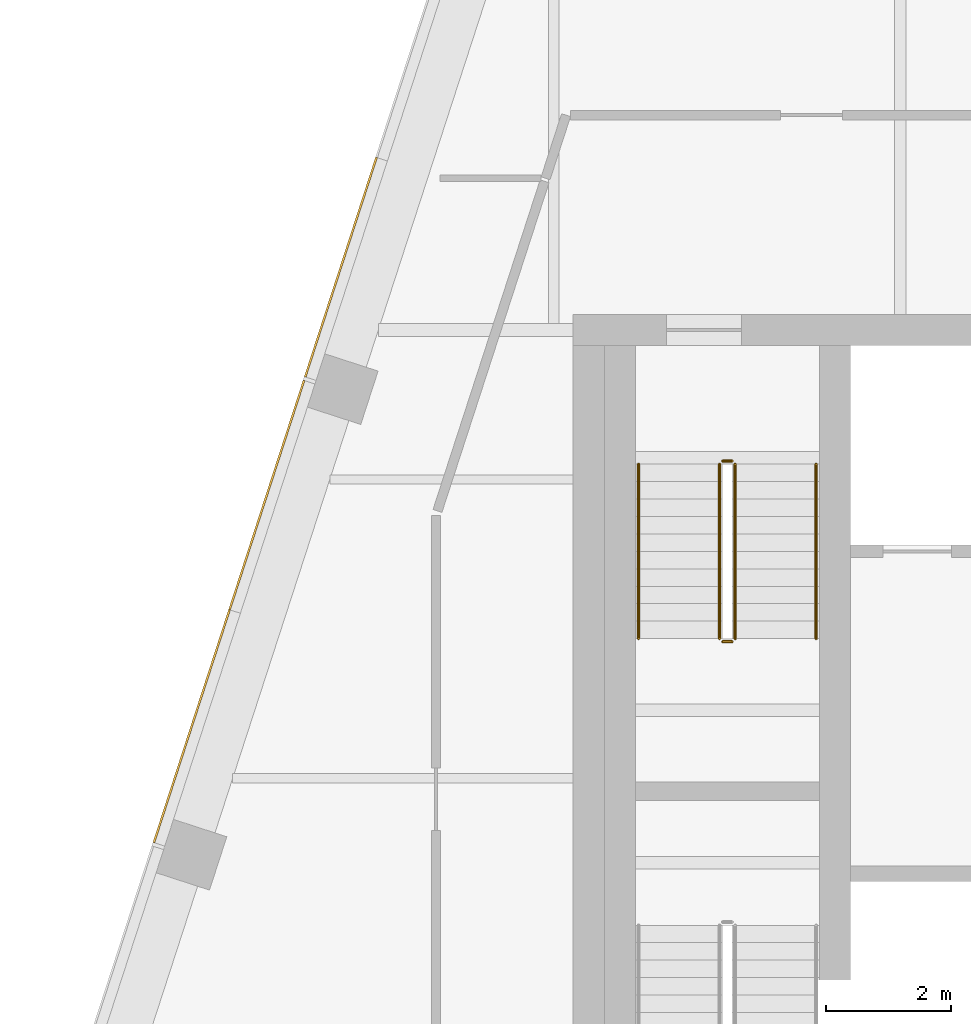
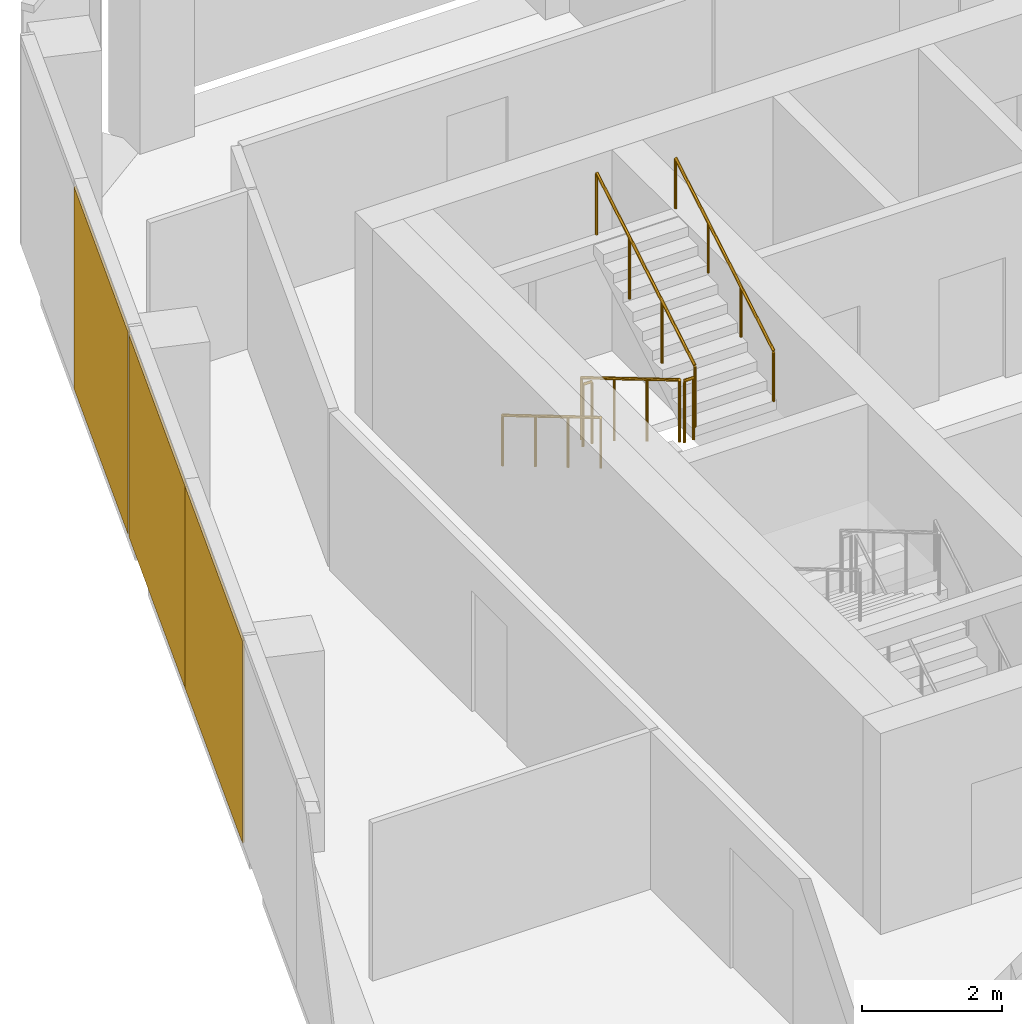
# One storey, part 14 of 15: 6 railings, 3 coverings, 1 element without a shape of its own.
"""IFC4 building model written with IfcOpenShell, lengths in metres."""

from ifc_helpers import new_model, si_unit, direction, frame, origin, origin_2d, place, context, subcontext, project, spatial, rectangle, circle, extrude, material, layer, layer_set, type_object, element, aggregate, save


model = new_model("IFC4")

# Units and contexts
model_context = context("Model", 3, precision=1e-05, world=origin(), true_north=direction((0.0, 1.0)))
body_context = subcontext(model_context, "Body", "Model", "MODEL_VIEW")
ifc_project = project(units=[si_unit("LENGTHUNIT", "METRE"), si_unit("AREAUNIT", "SQUARE_METRE"), si_unit("VOLUMEUNIT", "CUBIC_METRE"), si_unit("PLANEANGLEUNIT", "RADIAN"), si_unit("MASSUNIT", "GRAM", prefix="KILO")], contexts=[model_context])

# Site, building, storey
site_placement = place(None, origin())
site = spatial("IfcSite", under=ifc_project, at=site_placement, CompositionType="ELEMENT")
building_placement = place(site_placement, origin())
building = spatial("IfcBuilding", under=site, at=building_placement, Name="Isthmus Gate Tower", CompositionType="ELEMENT")
storey_placement = place(building_placement, frame((0.0, 0.0, 271.89990234375)))
storey = spatial("IfcBuildingStorey", under=building, at=storey_placement, Name="L69", CompositionType="ELEMENT", Elevation=271.89990234375)

# Curtain wall, coverings
ifc_material_1 = material(Name="Aluminium, pale champagne anodised", Category="aluminium")
ifc_layer_1 = layer(ifc_material_1, 0.199951171875)
ifc_layer_set_1 = layer_set([ifc_layer_1], Name="CW-1 UNITISED CURTAIN WALL 200 DEEP")
curtain_wall_type = type_object("IfcCurtainWallType", Name="CW-1 UNITISED CURTAIN WALL 200 DEEP", PredefinedType="NOTDEFINED", material=ifc_layer_set_1)
curtain_wall_placement = place(storey_placement, origin())
curtain_wall = element("IfcCurtainWall", 1, at=curtain_wall_placement, inside=storey, type_object=curtain_wall_type, Name="CW-1 NW L69", PredefinedType="NOTDEFINED")
ifc_material_2 = material(Name="Aluminium composite panel, pale champagne anodised", Category="aluminium")
ifc_layer_2 = layer(ifc_material_2, 0.031982421875)
ifc_layer_set_2 = layer_set([ifc_layer_2], Name="CW-1 PALE METAL PANEL 32")
covering_type = type_object("IfcCoveringType", Name="CW-1 PALE METAL PANEL 32", PredefinedType="CLADDING", material=ifc_layer_set_2)
covering_1_placement = place(storey_placement, frame((-18.727783203125, 15.760498046875, 0.0), z_axis=(0.0, 0.0, 1.0), x_axis=(-0.309016994375, -0.951056516295, 0.0)))
covering_1 = element("IfcCovering", 2, at=covering_1_placement, type_object=covering_type, Name="CW-1 pale metal panel", PredefinedType="CLADDING", context=body_context, shape_type="SweptSolid", body=[
    extrude(rectangle(XDim=3.703369140625, YDim=0.031982421875, at=origin_2d()), origin(), (0.0, 0.0, 1.0), 3.52001953125),
])
covering_2_placement = place(storey_placement, frame((-19.916259765625, 12.10302734375, 0.0), z_axis=(0.0, 0.0, 1.0), x_axis=(-0.309016994375, -0.951056516295, 0.0)))
covering_2 = element("IfcCovering", 3, at=covering_2_placement, type_object=covering_type, Name="CW-1 pale metal panel", PredefinedType="CLADDING", context=body_context, shape_type="SweptSolid", body=[
    extrude(rectangle(XDim=3.868408203125, YDim=0.031982421875, at=origin_2d()), origin(), (0.0, 0.0, 1.0), 3.52001953125),
])
covering_3_placement = place(storey_placement, frame((-21.120849609375, 8.395263671875, 0.0), z_axis=(0.0, 0.0, 1.0), x_axis=(-0.309016994375, -0.951056516295, 0.0)))
covering_3 = element("IfcCovering", 4, at=covering_3_placement, type_object=covering_type, Name="CW-1 pale metal panel", PredefinedType="CLADDING", context=body_context, shape_type="SweptSolid", body=[
    extrude(rectangle(XDim=3.928466796875, YDim=0.031982421875, at=origin_2d()), origin(), (0.0, 0.0, 1.0), 3.52001953125),
])
aggregate(curtain_wall, [covering_1, covering_2, covering_3])

# Railings
ifc_material_3 = material(Name="Stainless steel balustrade", Category="steel")
railing_type_1 = type_object("IfcRailingType", Name="STAIR GUARD 1100", PredefinedType="GUARDRAIL", material=ifc_material_3)
railing_1_placement = place(storey_placement, frame((-12.64990234375, 12.60009765625, 0.166015625)))
element("IfcRailing", 5, at=railing_1_placement, inside=storey, type_object=railing_type_1, Name="L69 ST1 stair guard 1", PredefinedType="GUARDRAIL", context=body_context, shape_type="SweptSolid", body=[
    extrude(circle(Radius=0.02392578125, at=origin_2d()), frame((0.0, 0.0, 1.076171875), z_axis=(0.0, -0.860306154799, 0.50977771628), x_axis=(1.0, 0.0, 0.0)), (0.0, 0.0, 1.0), 3.254638671875),
    extrude(circle(Radius=0.02099609375, at=origin_2d()), origin(), (0.0, 0.0, 1.0), 1.052001953125),
    extrude(circle(Radius=0.02099609375, at=origin_2d()), frame((0.0, -0.933349609375, 0.552978515625)), (0.0, 0.0, 1.0), 1.052001953125),
    extrude(circle(Radius=0.02099609375, at=origin_2d()), frame((0.0, -1.86669921875, 1.106201171875)), (0.0, 0.0, 1.0), 1.052001953125),
    extrude(circle(Radius=0.02099609375, at=origin_2d()), frame((0.0, -2.800048828125, 1.6591796875)), (0.0, 0.0, 1.0), 1.052001953125),
])
railing_2_placement = place(storey_placement, frame((-12.60009765625, 9.75, 1.8251953125)))
element("IfcRailing", 6, at=railing_2_placement, inside=storey, type_object=railing_type_1, Name="L69 ST1 stair guard 2", PredefinedType="GUARDRAIL", context=body_context, shape_type="SweptSolid", body=[
    extrude(circle(Radius=0.02392578125, at=origin_2d()), frame((0.0, 0.0, 1.076171875), z_axis=(1.0, 0.0, 0.0), x_axis=(0.0, 1.0, 0.0)), (0.0, 0.0, 1.0), 0.150146484375),
    extrude(circle(Radius=0.02099609375, at=origin_2d()), origin(), (0.0, 0.0, 1.0), 1.052001953125),
    extrude(circle(Radius=0.02099609375, at=origin_2d()), frame((0.150146484375, 0.0, 0.0)), (0.0, 0.0, 1.0), 1.052001953125),
])
railing_3_placement = place(storey_placement, frame((-12.39990234375, 9.800048828125, 1.990966796875)))
element("IfcRailing", 7, at=railing_3_placement, inside=storey, type_object=railing_type_1, Name="L69 ST1 stair guard 3", PredefinedType="GUARDRAIL", context=body_context, shape_type="SweptSolid", body=[
    extrude(circle(Radius=0.02392578125, at=origin_2d()), frame((0.0, 0.0, 1.076171875), z_axis=(0.0, 0.860306154799, 0.50977771628), x_axis=(-1.0, 0.0, 0.0)), (0.0, 0.0, 1.0), 3.254638671875),
    extrude(circle(Radius=0.02099609375, at=origin_2d()), origin(), (0.0, 0.0, 1.0), 1.052001953125),
    extrude(circle(Radius=0.02099609375, at=origin_2d()), frame((0.0, 0.933349609375, 0.552978515625)), (0.0, 0.0, 1.0), 1.052001953125),
    extrude(circle(Radius=0.02099609375, at=origin_2d()), frame((0.0, 1.86669921875, 1.106201171875)), (0.0, 0.0, 1.0), 1.052001953125),
    extrude(circle(Radius=0.02099609375, at=origin_2d()), frame((0.0, 2.800048828125, 1.6591796875)), (0.0, 0.0, 1.0), 1.052001953125),
])
railing_4_placement = place(storey_placement, frame((-12.60009765625, 12.64990234375, 0.0)))
element("IfcRailing", 8, at=railing_4_placement, inside=storey, type_object=railing_type_1, Name="L69 ST1 stair guard 4", PredefinedType="GUARDRAIL", context=body_context, shape_type="SweptSolid", body=[
    extrude(circle(Radius=0.02392578125, at=origin_2d()), frame((0.0, 0.0, 1.076171875), z_axis=(1.0, 0.0, 0.0), x_axis=(0.0, 1.0, 0.0)), (0.0, 0.0, 1.0), 0.150146484375),
    extrude(circle(Radius=0.02099609375, at=origin_2d()), origin(), (0.0, 0.0, 1.0), 1.052001953125),
    extrude(circle(Radius=0.02099609375, at=origin_2d()), frame((0.150146484375, 0.0, 0.0)), (0.0, 0.0, 1.0), 1.052001953125),
])
ifc_material_4 = material(Name="Stainless steel handrail", Category="steel")
railing_type_2 = type_object("IfcRailingType", Name="STAIR HANDRAIL 900", PredefinedType="HANDRAIL", material=ifc_material_4)
railing_5_placement = place(storey_placement, frame((-13.949951171875, 12.60009765625, 0.166015625)))
element("IfcRailing", 9, at=railing_5_placement, inside=storey, type_object=railing_type_2, Name="L69 ST1 stair handrail 1", PredefinedType="HANDRAIL", context=body_context, shape_type="SweptSolid", body=[
    extrude(circle(Radius=0.02392578125, at=origin_2d()), frame((0.0, 0.0, 0.8759765625), z_axis=(0.0, -0.860306154799, 0.50977771628), x_axis=(1.0, 0.0, 0.0)), (0.0, 0.0, 1.0), 3.254638671875),
    extrude(circle(Radius=0.02099609375, at=origin_2d()), origin(), (0.0, 0.0, 1.0), 0.851806640625),
    extrude(circle(Radius=0.02099609375, at=origin_2d()), frame((0.0, -0.933349609375, 0.552978515625)), (0.0, 0.0, 1.0), 0.851806640625),
    extrude(circle(Radius=0.02099609375, at=origin_2d()), frame((0.0, -1.86669921875, 1.106201171875)), (0.0, 0.0, 1.0), 0.851806640625),
    extrude(circle(Radius=0.02099609375, at=origin_2d()), frame((0.0, -2.800048828125, 1.6591796875)), (0.0, 0.0, 1.0), 0.851806640625),
])
railing_6_placement = place(storey_placement, frame((-11.10009765625, 9.800048828125, 1.990966796875)))
element("IfcRailing", 10, at=railing_6_placement, inside=storey, type_object=railing_type_2, Name="L69 ST1 stair handrail 2", PredefinedType="HANDRAIL", context=body_context, shape_type="SweptSolid", body=[
    extrude(circle(Radius=0.02392578125, at=origin_2d()), frame((0.0, 0.0, 0.8759765625), z_axis=(0.0, 0.860306154799, 0.50977771628), x_axis=(-1.0, 0.0, 0.0)), (0.0, 0.0, 1.0), 3.254638671875),
    extrude(circle(Radius=0.02099609375, at=origin_2d()), origin(), (0.0, 0.0, 1.0), 0.851806640625),
    extrude(circle(Radius=0.02099609375, at=origin_2d()), frame((0.0, 0.933349609375, 0.552978515625)), (0.0, 0.0, 1.0), 0.851806640625),
    extrude(circle(Radius=0.02099609375, at=origin_2d()), frame((0.0, 1.86669921875, 1.106201171875)), (0.0, 0.0, 1.0), 0.851806640625),
    extrude(circle(Radius=0.02099609375, at=origin_2d()), frame((0.0, 2.800048828125, 1.6591796875)), (0.0, 0.0, 1.0), 0.851806640625),
])

save(model, "model.ifc")
